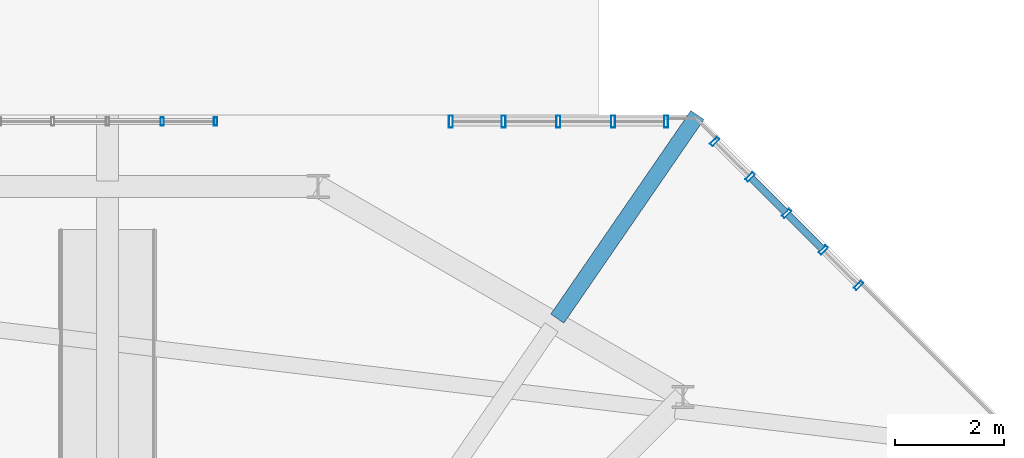
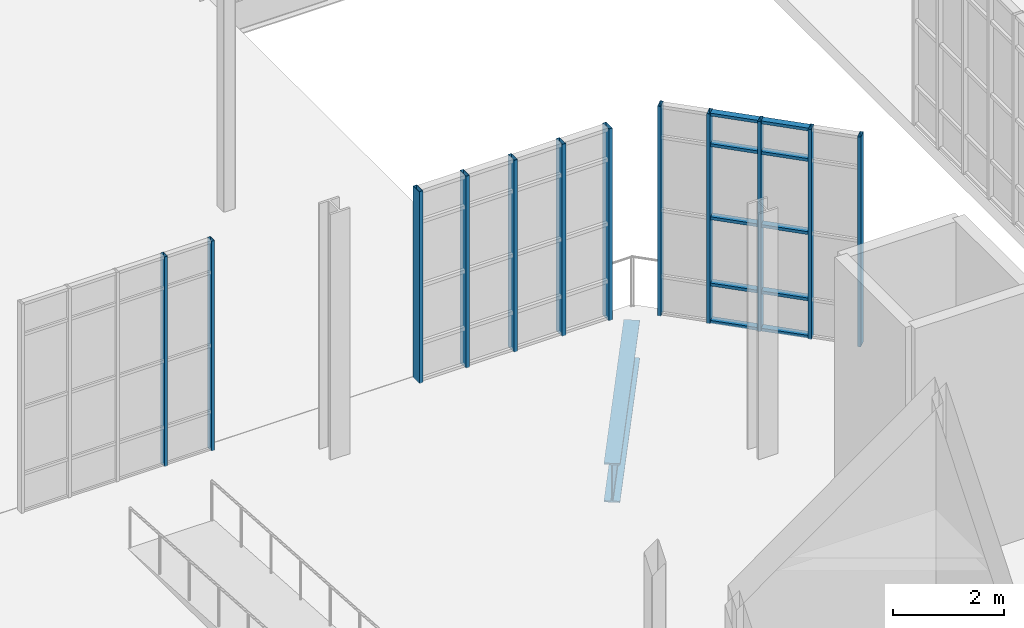
# One storey, part 64 of 189: 22 members, 1 beam, 3 elements without a shape of their own.
"""IFC4 building model written with IfcOpenShell, lengths in metres."""

from ifc_helpers import new_model, si_unit, direction, frame, origin, origin_2d, place, context, subcontext, project, spatial, hollow_rectangle, i_section, extrude, material, layer, layer_set, material_profile, profile_set, type_object, element, aggregate, save


model = new_model("IFC4")

# Units and contexts
model_context = context("Model", 3, precision=1e-05, world=origin(), true_north=direction((0.0, 1.0)))
body_context = subcontext(model_context, "Body", "Model", "MODEL_VIEW")
ifc_project = project(units=[si_unit("LENGTHUNIT", "METRE"), si_unit("AREAUNIT", "SQUARE_METRE"), si_unit("VOLUMEUNIT", "CUBIC_METRE"), si_unit("PLANEANGLEUNIT", "RADIAN"), si_unit("MASSUNIT", "GRAM", prefix="KILO"), si_unit("THERMODYNAMICTEMPERATUREUNIT", "KELVIN"), si_unit("POWERUNIT", "WATT")], contexts=[model_context])

# Site, building, storey
site_placement = place(None, origin())
site = spatial("IfcSite", under=ifc_project, at=site_placement, CompositionType="ELEMENT")
building_placement = place(site_placement, origin())
building = spatial("IfcBuilding", under=site, at=building_placement, Name="Zelmaris Science Centre", CompositionType="ELEMENT")
storey_placement = place(building_placement, origin())
storey = spatial("IfcBuildingStorey", under=building, at=storey_placement, Name="L00", CompositionType="ELEMENT", Elevation=0.0)

# Curtain wall, members
ifc_material_1 = material(Name="Anodised architectural aluminium 6063-T6", Category="aluminium")
ifc_layer_1 = layer(ifc_material_1, 0.219970703125, Name="Anodised architectural aluminium 6063-T6")
ifc_layer_set_1 = layer_set([ifc_layer_1], Name="Anodised architectural aluminium 6063-T6")
curtain_wall_type_1 = type_object("IfcCurtainWallType", Name="Curtain Wall CW-04", PredefinedType="USERDEFINED", material=ifc_layer_set_1)
curtain_wall_1_placement = place(storey_placement, origin())
curtain_wall_1 = element("IfcCurtainWall", 1, at=curtain_wall_1_placement, inside=storey, type_object=curtain_wall_type_1, Name="L00 Unitised curtain wall 56", ObjectType="GLAZED CURTAIN WALL", PredefinedType="USERDEFINED")
ifc_material_profile_1 = material_profile(ifc_material_1, hollow_rectangle(XDim=0.06005859375, YDim=0.14990234375, WallThickness=0.00341796875, at=origin_2d()), Name="ALU-MUL-60X150")
ifc_profile_set_1 = profile_set([ifc_material_profile_1], Name="Anodised architectural aluminium 6063-T6")
member_type_1 = type_object("IfcMemberType", Name="ALU-MUL-60X150", PredefinedType="MULLION", material=ifc_profile_set_1)
member_1_placement = place(storey_placement, frame((82.002685546875, 51.580078125, -0.014892578125), z_axis=(0.0, 0.0, 1.0), x_axis=(0.999999999994, -3.490659e-06, 0.0)))
member_1 = element("IfcMember", 2, at=member_1_placement, type_object=member_type_1, Name="CW-04 mullion 4", PredefinedType="MULLION", context=body_context, shape_type="SweptSolid", body=[
    extrude(hollow_rectangle(XDim=0.06005859375, YDim=0.14990234375, WallThickness=0.00341796875, at=origin_2d()), origin(), (0.0, 0.0, 1.0), 4.614990234375),
])
member_2_placement = place(storey_placement, frame((82.978515625, 51.580078125, -0.014892578125), z_axis=(0.0, 0.0, 1.0), x_axis=(0.999999999994, -3.490659e-06, 0.0)))
member_2 = element("IfcMember", 3, at=member_2_placement, type_object=member_type_1, Name="CW-04 mullion 5", PredefinedType="MULLION", context=body_context, shape_type="SweptSolid", body=[
    extrude(hollow_rectangle(XDim=0.06005859375, YDim=0.14990234375, WallThickness=0.00341796875, at=origin_2d()), origin(), (0.0, 0.0, 1.0), 4.614990234375),
])
aggregate(curtain_wall_1, [member_1, member_2])

ifc_layer_2 = layer(ifc_material_1, 0.2099609375, Name="Anodised architectural aluminium 6063-T6")
ifc_layer_set_2 = layer_set([ifc_layer_2], Name="Anodised architectural aluminium 6063-T6")
curtain_wall_type_2 = type_object("IfcCurtainWallType", Name="Curtain Wall CW-03", PredefinedType="USERDEFINED", material=ifc_layer_set_2)
curtain_wall_2_placement = place(storey_placement, origin())
curtain_wall_2 = element("IfcCurtainWall", 4, at=curtain_wall_2_placement, inside=storey, type_object=curtain_wall_type_2, Name="L00 Unitised curtain wall 59", ObjectType="GLAZED CURTAIN WALL", PredefinedType="USERDEFINED")
ifc_material_profile_2 = material_profile(ifc_material_1, hollow_rectangle(XDim=0.06494140625, YDim=0.179931640625, WallThickness=0.00390625, at=origin_2d()), Name="ALU-MUL-65X180")
ifc_profile_set_2 = profile_set([ifc_material_profile_2], Name="Anodised architectural aluminium 6063-T6")
member_type_2 = type_object("IfcMemberType", Name="ALU-MUL-65X180", PredefinedType="MULLION", material=ifc_profile_set_2)
member_3_placement = place(storey_placement, frame((92.116943359375, 51.213134765625, -0.014892578125), z_axis=(0.0, 0.0, 1.0), x_axis=(0.707106781187, -0.707106781187, 0.0)))
member_3 = element("IfcMember", 5, at=member_3_placement, type_object=member_type_2, Name="CW-03 mullion 1", PredefinedType="MULLION", context=body_context, shape_type="SweptSolid", body=[
    extrude(hollow_rectangle(XDim=0.06494140625, YDim=0.179931640625, WallThickness=0.00390625, at=origin_2d()), origin(), (0.0, 0.0, 1.0), 4.614990234375),
])
member_4_placement = place(storey_placement, frame((92.765869140625, 50.564208984375, -0.014892578125), z_axis=(0.0, 0.0, 1.0), x_axis=(0.707106781187, -0.707106781187, 0.0)))
member_4 = element("IfcMember", 6, at=member_4_placement, type_object=member_type_2, Name="CW-03 mullion 2", PredefinedType="MULLION", context=body_context, shape_type="SweptSolid", body=[
    extrude(hollow_rectangle(XDim=0.06494140625, YDim=0.179931640625, WallThickness=0.00390625, at=origin_2d()), origin(), (0.0, 0.0, 1.0), 4.614990234375),
])
member_5_placement = place(storey_placement, frame((93.434814453125, 49.895263671875, -0.014892578125), z_axis=(0.0, 0.0, 1.0), x_axis=(0.707106781187, -0.707106781187, 0.0)))
member_5 = element("IfcMember", 7, at=member_5_placement, type_object=member_type_2, Name="CW-03 mullion 3", PredefinedType="MULLION", context=body_context, shape_type="SweptSolid", body=[
    extrude(hollow_rectangle(XDim=0.06494140625, YDim=0.179931640625, WallThickness=0.00390625, at=origin_2d()), origin(), (0.0, 0.0, 1.0), 4.614990234375),
])
member_6_placement = place(storey_placement, frame((94.103759765625, 49.226318359375, -0.014892578125), z_axis=(0.0, 0.0, 1.0), x_axis=(0.707106781187, -0.707106781187, 0.0)))
member_6 = element("IfcMember", 8, at=member_6_placement, type_object=member_type_2, Name="CW-03 mullion 4", PredefinedType="MULLION", context=body_context, shape_type="SweptSolid", body=[
    extrude(hollow_rectangle(XDim=0.06494140625, YDim=0.179931640625, WallThickness=0.00390625, at=origin_2d()), origin(), (0.0, 0.0, 1.0), 4.614990234375),
])
member_7_placement = place(storey_placement, frame((94.75244140625, 48.57763671875, -0.014892578125), z_axis=(0.0, 0.0, 1.0), x_axis=(0.707106781187, -0.707106781187, 0.0)))
member_7 = element("IfcMember", 9, at=member_7_placement, type_object=member_type_2, Name="CW-03 mullion 5", PredefinedType="MULLION", context=body_context, shape_type="SweptSolid", body=[
    extrude(hollow_rectangle(XDim=0.06494140625, YDim=0.179931640625, WallThickness=0.00390625, at=origin_2d()), origin(), (0.0, 0.0, 1.0), 4.614990234375),
])

ifc_layer_3 = layer(ifc_material_1, 0.199951171875, Name="Anodised architectural aluminium 6063-T6")
ifc_layer_set_3 = layer_set([ifc_layer_3], Name="Anodised architectural aluminium 6063-T6")
curtain_wall_type_3 = type_object("IfcCurtainWallType", Name="Curtain Wall CW-02", PredefinedType="USERDEFINED", material=ifc_layer_set_3)
curtain_wall_3_placement = place(storey_placement, origin())
curtain_wall_3 = element("IfcCurtainWall", 10, at=curtain_wall_3_placement, inside=storey, type_object=curtain_wall_type_3, Name="L00 Unitised curtain wall 58", ObjectType="GLAZED CURTAIN WALL", PredefinedType="USERDEFINED")
ifc_material_profile_3 = material_profile(ifc_material_1, hollow_rectangle(XDim=0.074951171875, YDim=0.219970703125, WallThickness=0.0048828125, at=origin_2d()), Name="ALU-MUL-75X220")
ifc_profile_set_3 = profile_set([ifc_material_profile_3], Name="Anodised architectural aluminium 6063-T6")
member_type_3 = type_object("IfcMemberType", Name="ALU-MUL-75X220", PredefinedType="MULLION", material=ifc_profile_set_3)
member_8_placement = place(storey_placement, frame((87.285888671875, 51.579833984375, -0.014892578125), z_axis=(0.0, 0.0, 1.0), x_axis=(0.999999999994, -3.490659e-06, 0.0)))
member_8 = element("IfcMember", 11, at=member_8_placement, type_object=member_type_3, Name="CW-02 mullion 1", PredefinedType="MULLION", context=body_context, shape_type="SweptSolid", body=[
    extrude(hollow_rectangle(XDim=0.074951171875, YDim=0.219970703125, WallThickness=0.0048828125, at=origin_2d()), origin(), (0.0, 0.0, 1.0), 4.220947265625),
])
member_9_placement = place(storey_placement, frame((88.254150390625, 51.579833984375, -0.014892578125), z_axis=(0.0, 0.0, 1.0), x_axis=(0.999999999994, -3.490659e-06, 0.0)))
member_9 = element("IfcMember", 12, at=member_9_placement, type_object=member_type_3, Name="CW-02 mullion 2", PredefinedType="MULLION", context=body_context, shape_type="SweptSolid", body=[
    extrude(hollow_rectangle(XDim=0.074951171875, YDim=0.219970703125, WallThickness=0.0048828125, at=origin_2d()), origin(), (0.0, 0.0, 1.0), 4.220947265625),
])
member_10_placement = place(storey_placement, frame((89.256103515625, 51.579833984375, -0.014892578125), z_axis=(0.0, 0.0, 1.0), x_axis=(0.999999999994, -3.490659e-06, 0.0)))
member_10 = element("IfcMember", 13, at=member_10_placement, type_object=member_type_3, Name="CW-02 mullion 3", PredefinedType="MULLION", context=body_context, shape_type="SweptSolid", body=[
    extrude(hollow_rectangle(XDim=0.074951171875, YDim=0.219970703125, WallThickness=0.0048828125, at=origin_2d()), origin(), (0.0, 0.0, 1.0), 4.220947265625),
])
member_11_placement = place(storey_placement, frame((90.258056640625, 51.579833984375, -0.014892578125), z_axis=(0.0, 0.0, 1.0), x_axis=(0.999999999994, -3.490659e-06, 0.0)))
member_11 = element("IfcMember", 14, at=member_11_placement, type_object=member_type_3, Name="CW-02 mullion 4", PredefinedType="MULLION", context=body_context, shape_type="SweptSolid", body=[
    extrude(hollow_rectangle(XDim=0.074951171875, YDim=0.219970703125, WallThickness=0.0048828125, at=origin_2d()), origin(), (0.0, 0.0, 1.0), 4.220947265625),
])
member_12_placement = place(storey_placement, frame((91.2265625, 51.579833984375, -0.014892578125), z_axis=(0.0, 0.0, 1.0), x_axis=(0.999999999994, -3.490659e-06, 0.0)))
member_12 = element("IfcMember", 15, at=member_12_placement, type_object=member_type_3, Name="CW-02 mullion 5", PredefinedType="MULLION", context=body_context, shape_type="SweptSolid", body=[
    extrude(hollow_rectangle(XDim=0.074951171875, YDim=0.219970703125, WallThickness=0.0048828125, at=origin_2d()), origin(), (0.0, 0.0, 1.0), 4.220947265625),
])
aggregate(curtain_wall_3, [member_8, member_9, member_10, member_11, member_12])

# Member
ifc_material_profile_4 = material_profile(ifc_material_1, hollow_rectangle(XDim=0.06494140625, YDim=0.1298828125, WallThickness=0.00341796875, at=origin_2d()), Name="ALU-TRN-65X130")
ifc_profile_set_4 = profile_set([ifc_material_profile_4], Name="Anodised architectural aluminium 6063-T6")
member_type_4 = type_object("IfcMemberType", Name="ALU-TRN-65X130", PredefinedType="USERDEFINED", material=ifc_profile_set_4)
member_13_placement = place(storey_placement, frame((92.785888671875, 50.544189453125, 0.013427734375), z_axis=(0.707106781187, -0.707106781187, 0.0), x_axis=(0.0, 0.0, 1.0)))
member_13 = element("IfcMember", 16, at=member_13_placement, type_object=member_type_4, Name="CW-03 transom 2.1", ObjectType="TRANSOM", PredefinedType="USERDEFINED", context=body_context, shape_type="SweptSolid", body=[
    extrude(hollow_rectangle(XDim=0.06494140625, YDim=0.1298828125, WallThickness=0.00341796875, at=origin_2d()), origin(), (0.0, 0.0, 1.0), 0.88916015625),
])

member_14_placement = place(storey_placement, frame((92.785888671875, 50.544189453125, 0.8349609375), z_axis=(0.707106781187, -0.707106781187, 0.0), x_axis=(0.0, 0.0, 1.0)))
member_14 = element("IfcMember", 17, at=member_14_placement, type_object=member_type_4, Name="CW-03 transom 2.2", ObjectType="TRANSOM", PredefinedType="USERDEFINED", context=body_context, shape_type="SweptSolid", body=[
    extrude(hollow_rectangle(XDim=0.06494140625, YDim=0.1298828125, WallThickness=0.00341796875, at=origin_2d()), origin(), (0.0, 0.0, 1.0), 0.88916015625),
])

member_15_placement = place(storey_placement, frame((92.785888671875, 50.544189453125, 2.29248046875), z_axis=(0.707106781187, -0.707106781187, 0.0), x_axis=(0.0, 0.0, 1.0)))
member_15 = element("IfcMember", 18, at=member_15_placement, type_object=member_type_4, Name="CW-03 transom 2.3", ObjectType="TRANSOM", PredefinedType="USERDEFINED", context=body_context, shape_type="SweptSolid", body=[
    extrude(hollow_rectangle(XDim=0.06494140625, YDim=0.1298828125, WallThickness=0.00341796875, at=origin_2d()), origin(), (0.0, 0.0, 1.0), 0.88916015625),
])

member_16_placement = place(storey_placement, frame((92.785888671875, 50.544189453125, 3.89990234375), z_axis=(0.707106781187, -0.707106781187, 0.0), x_axis=(0.0, 0.0, 1.0)))
member_16 = element("IfcMember", 19, at=member_16_placement, type_object=member_type_4, Name="CW-03 transom 2.4", ObjectType="TRANSOM", PredefinedType="USERDEFINED", context=body_context, shape_type="SweptSolid", body=[
    extrude(hollow_rectangle(XDim=0.06494140625, YDim=0.1298828125, WallThickness=0.00341796875, at=origin_2d()), origin(), (0.0, 0.0, 1.0), 0.88916015625),
])

member_17_placement = place(storey_placement, frame((92.785888671875, 50.544189453125, 4.571533203125), z_axis=(0.707106781187, -0.707106781187, 0.0), x_axis=(0.0, 0.0, 1.0)))
member_17 = element("IfcMember", 20, at=member_17_placement, type_object=member_type_4, Name="CW-03 transom 2.5", ObjectType="TRANSOM", PredefinedType="USERDEFINED", context=body_context, shape_type="SweptSolid", body=[
    extrude(hollow_rectangle(XDim=0.06494140625, YDim=0.1298828125, WallThickness=0.00341796875, at=origin_2d()), origin(), (0.0, 0.0, 1.0), 0.88916015625),
])

member_18_placement = place(storey_placement, frame((93.454833984375, 49.875244140625, 0.013427734375), z_axis=(0.707106781187, -0.707106781187, 0.0), x_axis=(0.0, 0.0, 1.0)))
member_18 = element("IfcMember", 21, at=member_18_placement, type_object=member_type_4, Name="CW-03 transom 3.1", ObjectType="TRANSOM", PredefinedType="USERDEFINED", context=body_context, shape_type="SweptSolid", body=[
    extrude(hollow_rectangle(XDim=0.06494140625, YDim=0.1298828125, WallThickness=0.00341796875, at=origin_2d()), origin(), (0.0, 0.0, 1.0), 0.88916015625),
])

member_19_placement = place(storey_placement, frame((93.454833984375, 49.875244140625, 0.8349609375), z_axis=(0.707106781187, -0.707106781187, 0.0), x_axis=(0.0, 0.0, 1.0)))
member_19 = element("IfcMember", 22, at=member_19_placement, type_object=member_type_4, Name="CW-03 transom 3.2", ObjectType="TRANSOM", PredefinedType="USERDEFINED", context=body_context, shape_type="SweptSolid", body=[
    extrude(hollow_rectangle(XDim=0.06494140625, YDim=0.1298828125, WallThickness=0.00341796875, at=origin_2d()), origin(), (0.0, 0.0, 1.0), 0.88916015625),
])

member_20_placement = place(storey_placement, frame((93.454833984375, 49.875244140625, 2.29248046875), z_axis=(0.707106781187, -0.707106781187, 0.0), x_axis=(0.0, 0.0, 1.0)))
member_20 = element("IfcMember", 23, at=member_20_placement, type_object=member_type_4, Name="CW-03 transom 3.3", ObjectType="TRANSOM", PredefinedType="USERDEFINED", context=body_context, shape_type="SweptSolid", body=[
    extrude(hollow_rectangle(XDim=0.06494140625, YDim=0.1298828125, WallThickness=0.00341796875, at=origin_2d()), origin(), (0.0, 0.0, 1.0), 0.88916015625),
])

member_21_placement = place(storey_placement, frame((93.454833984375, 49.875244140625, 3.89990234375), z_axis=(0.707106781187, -0.707106781187, 0.0), x_axis=(0.0, 0.0, 1.0)))
member_21 = element("IfcMember", 24, at=member_21_placement, type_object=member_type_4, Name="CW-03 transom 3.4", ObjectType="TRANSOM", PredefinedType="USERDEFINED", context=body_context, shape_type="SweptSolid", body=[
    extrude(hollow_rectangle(XDim=0.06494140625, YDim=0.1298828125, WallThickness=0.00341796875, at=origin_2d()), origin(), (0.0, 0.0, 1.0), 0.88916015625),
])

member_22_placement = place(storey_placement, frame((93.454833984375, 49.875244140625, 4.571533203125), z_axis=(0.707106781187, -0.707106781187, 0.0), x_axis=(0.0, 0.0, 1.0)))
member_22 = element("IfcMember", 25, at=member_22_placement, type_object=member_type_4, Name="CW-03 transom 3.5", ObjectType="TRANSOM", PredefinedType="USERDEFINED", context=body_context, shape_type="SweptSolid", body=[
    extrude(hollow_rectangle(XDim=0.06494140625, YDim=0.1298828125, WallThickness=0.00341796875, at=origin_2d()), origin(), (0.0, 0.0, 1.0), 0.88916015625),
])

aggregate(curtain_wall_2, [member_3, member_4, member_5, member_6, member_7, member_13, member_14, member_15, member_16, member_17, member_18, member_19, member_20, member_21, member_22])

# Beam
ifc_material_2 = material(Name="Steel ASTM A992 Grade 50", Category="steel")
ifc_material_profile_5 = material_profile(ifc_material_2, i_section(OverallWidth=0.2919921875, OverallDepth=0.85888671875, WebThickness=0.01708984375, FlangeThickness=0.031005859375, FilletRadius=0.02001953125, at=origin_2d()), Name="W33X169")
ifc_profile_set_5 = profile_set([ifc_material_profile_5], Name="Steel ASTM A992 Grade 50")
beam_type = type_object("IfcBeamType", Name="Beam G-29 W33X169", PredefinedType="BEAM", material=ifc_profile_set_5)
beam_placement = place(storey_placement, frame((89.236083984375, 47.972900390625, -0.76953125), z_axis=(0.566771582571, 0.823874974246, 0.0), x_axis=(-0.823874974246, 0.566771582571, 0.0)))
element("IfcBeam", 26, at=beam_placement, inside=storey, type_object=beam_type, Name="L00 Radial overhang girder 7", PredefinedType="BEAM", context=body_context, shape_type="SweptSolid", body=[
    extrude(i_section(OverallWidth=0.2919921875, OverallDepth=0.85888671875, WebThickness=0.01708984375, FlangeThickness=0.031005859375, FilletRadius=0.02001953125, at=origin_2d()), origin(), (0.0, 0.0, 1.0), 4.52392578125),
])

save(model, "model.ifc")
